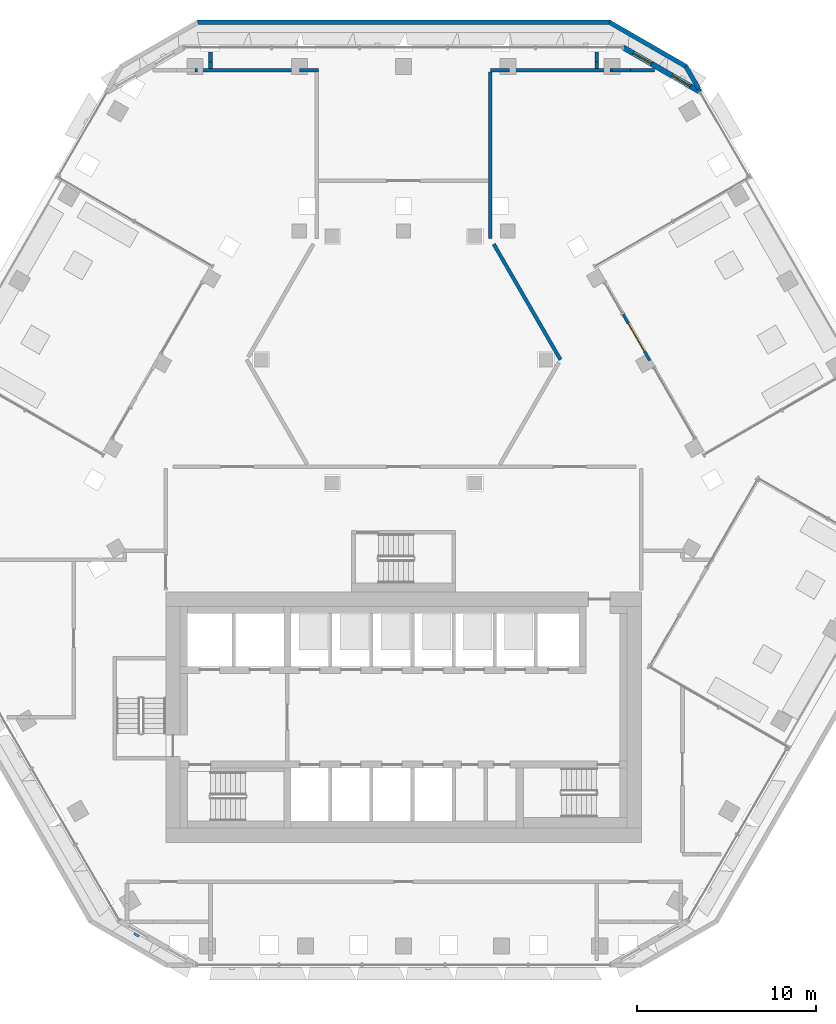
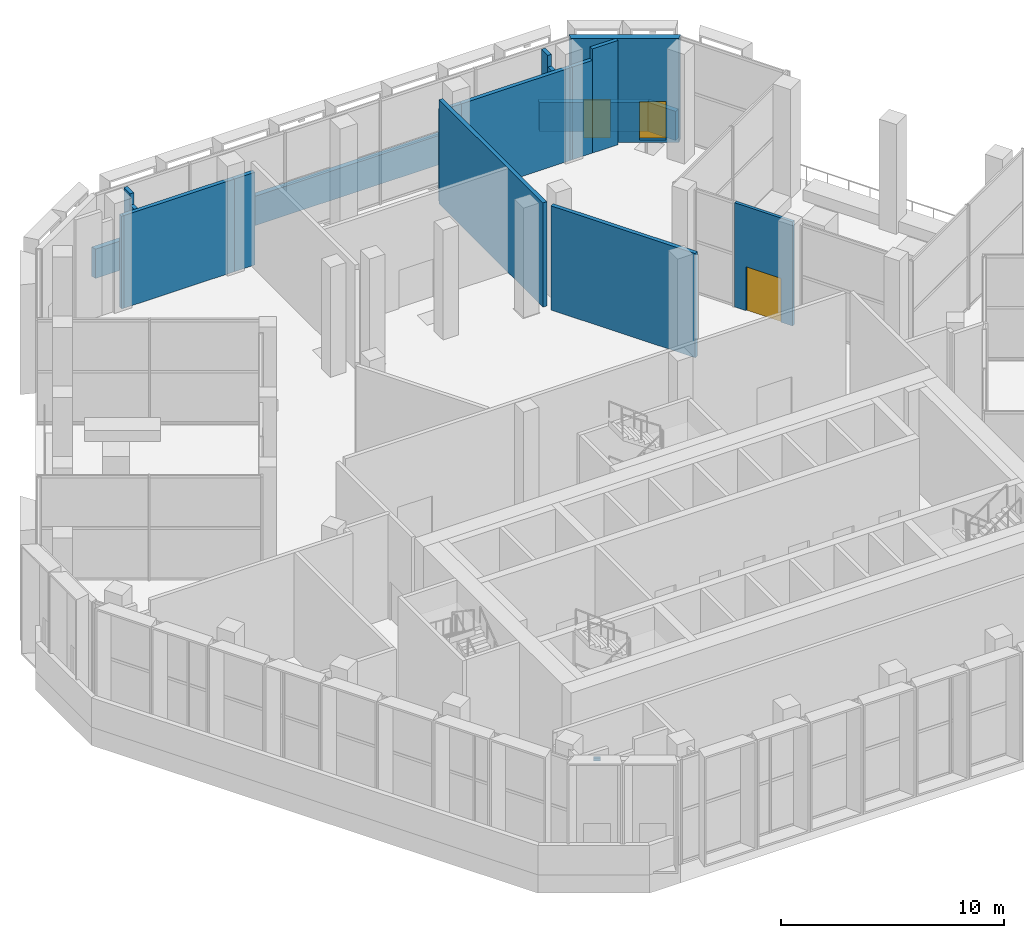
# One storey, part 15 of 27: 19 walls, 2 windows, 1 discrete accessory, 1 door, 3 openings.
"""IFC4 building model written with IfcOpenShell, lengths in metres."""

from ifc_helpers import new_model, si_unit, direction, frame, frame_2d, origin, place, context, subcontext, project, spatial, polyline, rectangle, outline, extrude, source, transform, mapped, material, layer, layer_set, type_object, type_shapes, element, fill, save


model = new_model("IFC4")

# Units and contexts
model_context = context("Model", 3, precision=1e-05, world=origin(), true_north=direction((0.0, 1.0)))
body_context = subcontext(model_context, "Body", "Model", "MODEL_VIEW")
ifc_project = project(units=[si_unit("LENGTHUNIT", "METRE"), si_unit("AREAUNIT", "SQUARE_METRE"), si_unit("VOLUMEUNIT", "CUBIC_METRE"), si_unit("PLANEANGLEUNIT", "RADIAN"), si_unit("MASSUNIT", "GRAM", prefix="KILO")], contexts=[model_context])

# Site, building, storey
site_placement = place(None, origin())
site = spatial("IfcSite", under=ifc_project, at=site_placement, CompositionType="ELEMENT")
building_placement = place(site_placement, origin())
building = spatial("IfcBuilding", under=site, at=building_placement, Name="Beryl Residences", CompositionType="ELEMENT")
storey_placement = place(building_placement, frame((0.0, 0.0, 111.60009765625)))
storey = spatial("IfcBuildingStorey", under=building, at=storey_placement, Name="L34", CompositionType="ELEMENT", Elevation=111.60009765625)

# Wall, openings, windows
ifc_material_1 = material(Name="Composite metal panel with mineral wool insulation")
ifc_layer_1 = layer(ifc_material_1, 0.300048828125)
ifc_layer_set_1 = layer_set([ifc_layer_1], Name="ES1 pale metal composite panel wall 300 mm")
wall_type_1 = type_object("IfcWallType", Name="ES1 pale metal composite panel wall 300 mm", PredefinedType="SOLIDWALL", material=ifc_layer_set_1)
wall_1_placement = place(storey_placement, frame((16.610107421875, 22.969970703125, 0.0), z_axis=(0.0, 0.0, 1.0), x_axis=(-0.866022959057, 0.500004234368, 0.0)))
wall_1 = element("IfcWall", 1, at=wall_1_placement, inside=storey, type_object=wall_type_1, Name="ES1 external wall L34 NE-N", PredefinedType="SOLIDWALL", context=body_context, shape_type="SweptSolid", body=[
    extrude(outline(polyline([(0.0, -0.14990234375), (5.0, -0.14990234375), (4.919677734375, 0.14990234375), (0.080322265625, 0.14990234375), (0.0, -0.14990234375)])), origin(), (0.0, 0.0, 1.0), 5.699951171875),
])
opening_1_placement = place(wall_1_placement, frame((0.64990234375, 0.0, 0.14990234375)))
opening_1 = element("IfcOpeningElement", 2, at=opening_1_placement, cuts=wall_1, Name="Opening W2", PredefinedType="OPENING", context=body_context, shape_type="SweptSolid", body=[
    extrude(rectangle(XDim=1.199951171875, YDim=2.10009765625, at=frame_2d((0.60009765625, 1.050048828125))), frame((0.0, 0.159912109375, 0.0), z_axis=(0.0, -1.0, 0.0), x_axis=(1.0, 0.0, 0.0)), (0.0, 0.0, 1.0), 0.320068359375),
])
opening_2_placement = place(wall_1_placement, frame((3.14990234375, 0.0, 0.14990234375)))
opening_2 = element("IfcOpeningElement", 3, at=opening_2_placement, cuts=wall_1, Name="Opening W2", PredefinedType="OPENING", context=body_context, shape_type="SweptSolid", body=[
    extrude(rectangle(XDim=1.199951171875, YDim=2.10009765625, at=frame_2d((0.60009765625, 1.050048828125))), frame((0.0, 0.159912109375, 0.0), z_axis=(0.0, -1.0, 0.0), x_axis=(1.0, 0.0, 0.0)), (0.0, 0.0, 1.0), 0.320068359375),
])
ifc_material_2 = material(Name="Aluminium and clear glass", Category="aluminium")
window_type = type_object("IfcWindowType", Name="W2 chamfer window 1200 x 2100 mm", PartitioningType="SINGLE_PANEL", PredefinedType="WINDOW", material=ifc_material_2)
window_1_placement = place(opening_1_placement, origin())
window_1 = element("IfcWindow", 4, at=window_1_placement, inside=storey, type_object=window_type, Name="W2 window L34 NE-N 1", OverallHeight=2.10009765625, OverallWidth=1.199951171875, PartitioningType="SINGLE_PANEL", PredefinedType="WINDOW", context=body_context, shape_type="SweptSolid", body=[
    extrude(rectangle(XDim=1.199951171875, YDim=2.10009765625, at=frame_2d((0.60009765625, 1.050048828125))), frame((0.0, 0.030029296875, 0.0), z_axis=(0.0, -1.0, 0.0), x_axis=(1.0, 0.0, 0.0)), (0.0, 0.0, 1.0), 0.06005859375),
])
fill(opening_1, window_1)
window_2_placement = place(opening_2_placement, origin())
window_2 = element("IfcWindow", 5, at=window_2_placement, inside=storey, type_object=window_type, Name="W2 window L34 NE-N 2", OverallHeight=2.10009765625, OverallWidth=1.199951171875, PartitioningType="SINGLE_PANEL", PredefinedType="WINDOW", context=body_context, shape_type="SweptSolid", body=[
    extrude(rectangle(XDim=1.199951171875, YDim=2.10009765625, at=frame_2d((0.60009765625, 1.050048828125))), frame((0.0, 0.030029296875, 0.0), z_axis=(0.0, -1.0, 0.0), x_axis=(1.0, 0.0, 0.0)), (0.0, 0.0, 1.0), 0.06005859375),
])
fill(opening_2, window_2)

# Wall, opening, door
ifc_material_3 = material(Name="Aluminium framed insulated wall", Category="aluminium")
ifc_layer_2 = layer(ifc_material_3, 0.14990234375)
ifc_layer_set_2 = layer_set([ifc_layer_2], Name="GW1 glazed door wall 150 mm")
wall_type_2 = type_object("IfcWallType", Name="GW1 glazed door wall 150 mm", PredefinedType="SOLIDWALL", material=ifc_layer_set_2)
wall_2_placement = place(storey_placement, frame((13.77001953125, 7.949951171875, 0.0), z_axis=(0.0, 0.0, 1.0), x_axis=(-0.499990139034, 0.866031096941, 0.0)))
wall_2 = element("IfcWall", 6, at=wall_2_placement, inside=storey, type_object=wall_type_2, Name="GW1 door wall L34 NE", PredefinedType="SOLIDWALL", context=body_context, shape_type="SweptSolid", body=[
    extrude(rectangle(XDim=3.0, YDim=0.14990234375, at=frame_2d((1.5, 0.0))), origin(), (0.0, 0.0, 1.0), 5.699951171875),
])
opening_3_placement = place(wall_2_placement, frame((0.60009765625, 0.0, 0.0)))
opening_3 = element("IfcOpeningElement", 7, at=opening_3_placement, cuts=wall_2, Name="Opening SD3", PredefinedType="OPENING", context=body_context, shape_type="SweptSolid", body=[
    extrude(rectangle(XDim=1.800048828125, YDim=2.39990234375, at=frame_2d((0.89990234375, 1.199951171875))), frame((0.0, 0.0849609375, 0.0), z_axis=(0.0, -1.0, 0.0), x_axis=(1.0, 0.0, 0.0)), (0.0, 0.0, 1.0), 0.169921875),
])
ifc_material_4 = material(Name="Aluminium and clear glass", Category="aluminium")
door_type = type_object("IfcDoorType", Name="SD3 sliding glass door 1800 x 2400 mm", OperationType="SLIDING_TO_LEFT", PredefinedType="DOOR", material=ifc_material_4)
door_placement = place(opening_3_placement, origin())
door = element("IfcDoor", 8, at=door_placement, inside=storey, type_object=door_type, Name="SD3 garden door L34 NE", OperationType="SLIDING_TO_LEFT", OverallHeight=2.39990234375, OverallWidth=1.800048828125, PredefinedType="DOOR", context=body_context, shape_type="SweptSolid", body=[
    extrude(rectangle(XDim=1.800048828125, YDim=2.39990234375, at=frame_2d((0.89990234375, 1.199951171875))), frame((0.0, 0.02490234375, 0.0), z_axis=(0.0, -1.0, 0.0), x_axis=(1.0, 0.0, 0.0)), (0.0, 0.0, 1.0), 0.050048828125),
])
fill(opening_3, door)

# Walls
ifc_material_5 = material(Name="Precast concrete C40/50", Category="concrete")
ifc_layer_3 = layer(ifc_material_5, 0.25)
ifc_layer_set_3 = layer_set([ifc_layer_3], Name="PA1 roof parapet 250 mm")
wall_type_3 = type_object("IfcWallType", Name="PA1 roof parapet 250 mm", PredefinedType="PARAPET", material=ifc_layer_set_3)
wall_3_placement = place(storey_placement, frame((-11.548095703125, 26.875, 0.0), z_axis=(0.0, 0.0, 1.0), x_axis=(1.0, 0.0, 0.0)))
element("IfcWall", 9, at=wall_3_placement, inside=storey, type_object=wall_type_3, Name="PA1 parapet L34 strip 3", PredefinedType="PARAPET", context=body_context, shape_type="SweptSolid", body=[
    extrude(outline(polyline([(0.06689453125, -0.125), (23.029296875, -0.125), (23.09619140625, 0.125), (0.0, 0.125), (0.06689453125, -0.125)])), origin(), (0.0, 0.0, 1.0), 1.599853515625),
])
wall_4_placement = place(storey_placement, frame((11.485107421875, 26.89208984375, 0.0), z_axis=(0.0, 0.0, 1.0), x_axis=(0.865877295069, -0.50025644412, 0.0)))
element("IfcWall", 10, at=wall_4_placement, inside=storey, type_object=wall_type_3, Name="PA1 parapet L34 strip 4", PredefinedType="PARAPET", context=body_context, shape_type="SweptSolid", body=[
    extrude(outline(polyline([(0.06689453125, -0.125), (4.932373046875, -0.125), (4.999267578125, 0.125), (0.0, 0.125), (0.06689453125, -0.125)])), origin(), (0.0, 0.0, 1.0), 1.599853515625),
])
wall_5_placement = place(storey_placement, frame((15.76806640625, 24.43701171875, 0.0), z_axis=(0.0, 0.0, 1.0), x_axis=(0.500554469283, -0.865705044043, 0.0)))
element("IfcWall", 11, at=wall_5_placement, inside=storey, type_object=wall_type_3, Name="PA1 parapet L34 strip 5", PredefinedType="PARAPET", context=body_context, shape_type="SweptSolid", body=[
    extrude(outline(polyline([(0.06689453125, -0.125), (1.498291015625, -0.125), (1.498291015625, 0.125), (0.0, 0.125), (0.06689453125, -0.125)])), origin(), (0.0, 0.0, 1.0), 1.599853515625),
])
ifc_material_6 = material(Name="Double stud gypsum board wall")
ifc_layer_4 = layer(ifc_material_6, 0.199951171875)
ifc_layer_set_4 = layer_set([ifc_layer_4], Name="PT4 corridor wall 200 mm double stud")
wall_type_4 = type_object("IfcWallType", Name="PT4 corridor wall 200 mm double stud", PredefinedType="PARTITIONING", material=ifc_layer_set_4)
wall_6_placement = place(storey_placement, frame((-11.662109375, 24.196044921875, 0.0), z_axis=(0.0, 0.0, 1.0), x_axis=(1.0, 0.0, 0.0)))
element("IfcWall", 12, at=wall_6_placement, inside=storey, type_object=wall_type_4, Name="Wall PT4 L34 018", PredefinedType="PARTITIONING", context=body_context, shape_type="SweptSolid", body=[
    extrude(rectangle(XDim=0.125, YDim=0.199951171875, at=frame_2d((0.0625, 0.0))), origin(), (0.0, 0.0, 1.0), 5.06982421875),
])
wall_7_placement = place(storey_placement, frame((-11.537109375, 24.196044921875, 0.0), z_axis=(0.0, 0.0, 1.0), x_axis=(1.0, 0.0, 0.0)))
element("IfcWall", 13, at=wall_7_placement, inside=storey, type_object=wall_type_4, Name="Wall PT4 L34 019", PredefinedType="PARTITIONING", context=body_context, shape_type="SweptSolid", body=[
    extrude(rectangle(XDim=5.7060546875, YDim=0.199951171875, at=frame_2d((2.85302734375, 0.0))), origin(), (0.0, 0.0, 1.0), 5.06982421875),
])
for number, where, z_axis, x_axis, name in (
    (14, (-5.8310546875, 24.196044921875, 0.0), (0.0, 0.0, 1.0), (1.0, 0.0, 0.0), "Wall PT4 L34 020"),
    (15, (4.85693359375, 24.196044921875, 0.0), (0.0, 0.0, 1.0), (1.0, 0.0, 0.0), "Wall PT4 L34 021"),
):
    element("IfcWall", number, at=place(storey_placement, frame(where, z_axis=z_axis, x_axis=x_axis)), inside=storey, type_object=wall_type_4, Name=name, PredefinedType="PARTITIONING", context=body_context, shape_type="SweptSolid", body=[
        extrude(rectangle(XDim=1.073974609375, YDim=0.199951171875, at=frame_2d((0.537109375, 0.0))), origin(), (0.0, 0.0, 1.0), 5.06982421875),
    ])
wall_8_placement = place(storey_placement, frame((5.8310546875, 24.196044921875, 0.0), z_axis=(0.0, 0.0, 1.0), x_axis=(1.0, 0.0, 0.0)))
element("IfcWall", 16, at=wall_8_placement, inside=storey, type_object=wall_type_4, Name="Wall PT4 L34 022", PredefinedType="PARTITIONING", context=body_context, shape_type="SweptSolid", body=[
    extrude(rectangle(XDim=5.7060546875, YDim=0.199951171875, at=frame_2d((2.85302734375, 0.0))), origin(), (0.0, 0.0, 1.0), 5.06982421875),
])
wall_9_placement = place(storey_placement, frame((11.537109375, 24.196044921875, 0.0), z_axis=(0.0, 0.0, 1.0), x_axis=(1.0, 0.0, 0.0)))
element("IfcWall", 17, at=wall_9_placement, inside=storey, type_object=wall_type_4, Name="Wall PT4 L34 023", PredefinedType="PARTITIONING", context=body_context, shape_type="SweptSolid", body=[
    extrude(rectangle(XDim=0.125, YDim=0.199951171875, at=frame_2d((0.0625, 0.0))), origin(), (0.0, 0.0, 1.0), 5.06982421875),
])
wall_10_placement = place(storey_placement, frame((11.662109375, 24.196044921875, 0.0), z_axis=(0.0, 0.0, 1.0), x_axis=(1.0, 0.0, 0.0)))
element("IfcWall", 18, at=wall_10_placement, inside=storey, type_object=wall_type_4, Name="Wall PT4 L34 024", PredefinedType="PARTITIONING", context=body_context, shape_type="SweptSolid", body=[
    extrude(rectangle(XDim=1.02685546875, YDim=0.199951171875, at=frame_2d((0.513427734375, 0.0))), origin(), (0.0, 0.0, 1.0), 5.06982421875),
])
wall_11_placement = place(storey_placement, frame((12.68896484375, 24.196044921875, 0.0), z_axis=(0.0, 0.0, 1.0), x_axis=(1.0, 0.0, 0.0)))
element("IfcWall", 19, at=wall_11_placement, inside=storey, type_object=wall_type_4, Name="Wall PT4 L34 025", PredefinedType="PARTITIONING", context=body_context, shape_type="SweptSolid", body=[
    extrude(rectangle(XDim=1.338134765625, YDim=0.199951171875, at=frame_2d((0.6689453125, 0.0))), origin(), (0.0, 0.0, 1.0), 5.699951171875),
])
wall_12_placement = place(storey_placement, frame((-10.800048828125, 24.2958984375, 0.0), z_axis=(0.0, 0.0, 1.0), x_axis=(0.0, 1.0, 0.0)))
element("IfcWall", 20, at=wall_12_placement, inside=storey, type_object=wall_type_4, Name="Wall PT4 L34 032", PredefinedType="PARTITIONING", context=body_context, shape_type="SweptSolid", body=[
    extrude(rectangle(XDim=0.35400390625, YDim=0.199951171875, at=frame_2d((0.177001953125, 0.0))), origin(), (0.0, 0.0, 1.0), 5.06982421875),
])
wall_13_placement = place(storey_placement, frame((-10.800048828125, 24.64990234375, 0.0), z_axis=(0.0, 0.0, 1.0), x_axis=(0.0, 1.0, 0.0)))
element("IfcWall", 21, at=wall_13_placement, inside=storey, type_object=wall_type_4, Name="Wall PT4 L34 033", PredefinedType="PARTITIONING", context=body_context, shape_type="SweptSolid", body=[
    extrude(rectangle(XDim=0.570068359375, YDim=0.199951171875, at=frame_2d((0.28515625, 0.0))), origin(), (0.0, 0.0, 1.0), 5.699951171875),
])
wall_14_placement = place(storey_placement, frame((4.85693359375, 14.787109375, 0.0), z_axis=(0.0, 0.0, 1.0), x_axis=(0.0, 1.0, 0.0)))
element("IfcWall", 22, at=wall_14_placement, inside=storey, type_object=wall_type_4, Name="Wall PT4 L34 035", PredefinedType="PARTITIONING", context=body_context, shape_type="SweptSolid", body=[
    extrude(rectangle(XDim=9.308837890625, YDim=0.199951171875, at=frame_2d((4.654296875, 0.0))), origin(), (0.0, 0.0, 1.0), 5.699951171875),
])
wall_15_placement = place(storey_placement, frame((10.800048828125, 24.2958984375, 0.0), z_axis=(0.0, 0.0, 1.0), x_axis=(0.0, 1.0, 0.0)))
element("IfcWall", 23, at=wall_15_placement, inside=storey, type_object=wall_type_4, Name="Wall PT4 L34 039", PredefinedType="PARTITIONING", context=body_context, shape_type="SweptSolid", body=[
    extrude(rectangle(XDim=0.35400390625, YDim=0.199951171875, at=frame_2d((0.177001953125, 0.0))), origin(), (0.0, 0.0, 1.0), 5.06982421875),
])
wall_16_placement = place(storey_placement, frame((10.800048828125, 24.64990234375, 0.0), z_axis=(0.0, 0.0, 1.0), x_axis=(0.0, 1.0, 0.0)))
element("IfcWall", 24, at=wall_16_placement, inside=storey, type_object=wall_type_4, Name="Wall PT4 L34 040", PredefinedType="PARTITIONING", context=body_context, shape_type="SweptSolid", body=[
    extrude(rectangle(XDim=0.570068359375, YDim=0.199951171875, at=frame_2d((0.28515625, 0.0))), origin(), (0.0, 0.0, 1.0), 5.699951171875),
])
wall_17_placement = place(storey_placement, frame((5.0439453125, 14.464111328125, 0.0), z_axis=(0.0, 0.0, 1.0), x_axis=(0.499987658634, -0.866032528958, 0.0)))
element("IfcWall", 25, at=wall_17_placement, inside=storey, type_object=wall_type_4, Name="Wall PT4 L34 045", PredefinedType="PARTITIONING", context=body_context, shape_type="SweptSolid", body=[
    extrude(rectangle(XDim=7.464111328125, YDim=0.199951171875, at=frame_2d((3.73193359375, 0.0))), origin(), (0.0, 0.0, 1.0), 5.699951171875),
])

# Discrete accessory
ifc_material_7 = material(Name="Steel S355", Category="steel")
discrete_accessory_type = type_object("IfcDiscreteAccessoryType", Name="BR1 frame bracket 300 x 120 x 150 mm", PredefinedType="BRACKET", material=ifc_material_7)
shared_shape = source(origin(), body_context, "Body", "SweptSolid", [
    extrude(outline(polyline([(-0.14990234375, 0.0), (0.14990234375, 0.0), (0.14990234375, 0.1201171875), (-0.14990234375, 0.1201171875), (-0.14990234375, 0.0)])), origin(), (0.0, 0.0, 1.0), 0.14990234375),
])
type_shapes(discrete_accessory_type, [shared_shape])
discrete_accessory_placement = place(storey_placement, frame((-14.909912109375, -24.125, 5.75), z_axis=(0.0, 0.0, 1.0), x_axis=(-0.866025403784, 0.5, 0.0)))
element("IfcDiscreteAccessory", 26, at=discrete_accessory_placement, inside=storey, type_object=discrete_accessory_type, Name="BR1 bracket L34 SW-S 1", PredefinedType="BRACKET", context=body_context, shape_type="MappedRepresentation", body=[
    mapped(shared_shape, transform((0.0, 0.0, 0.0))),
])

save(model, "model.ifc")
